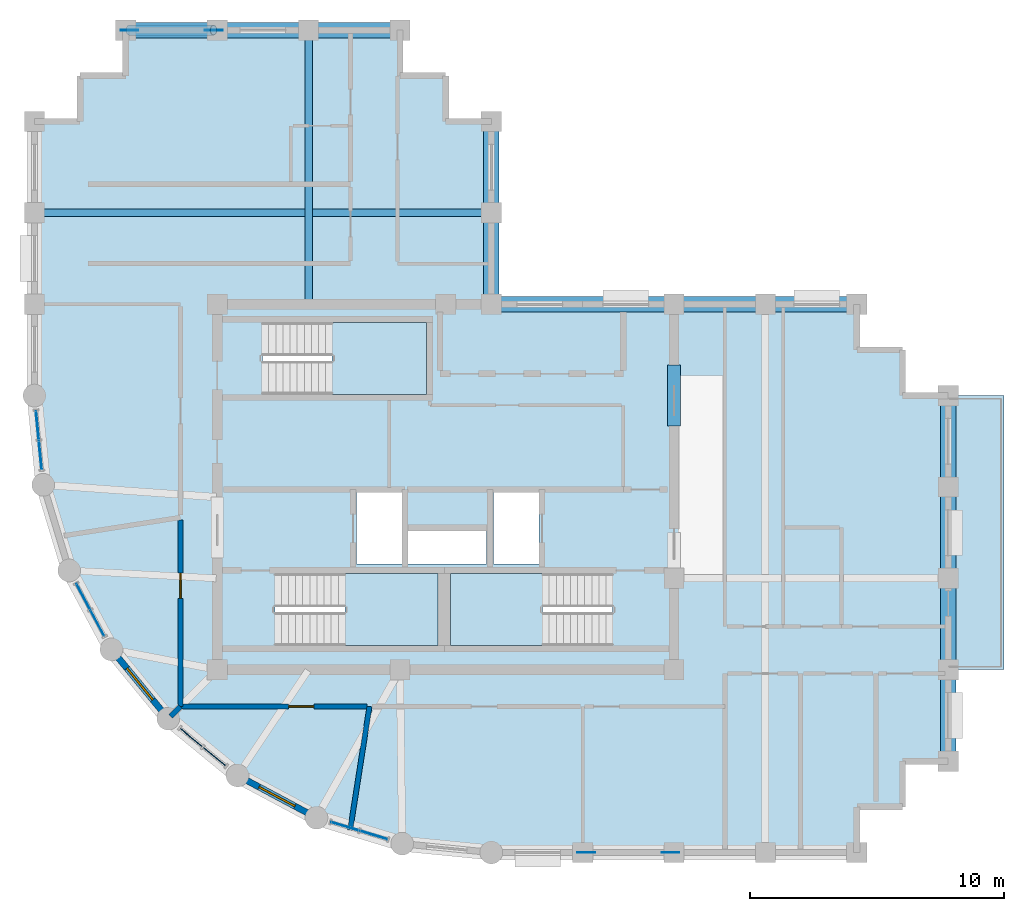
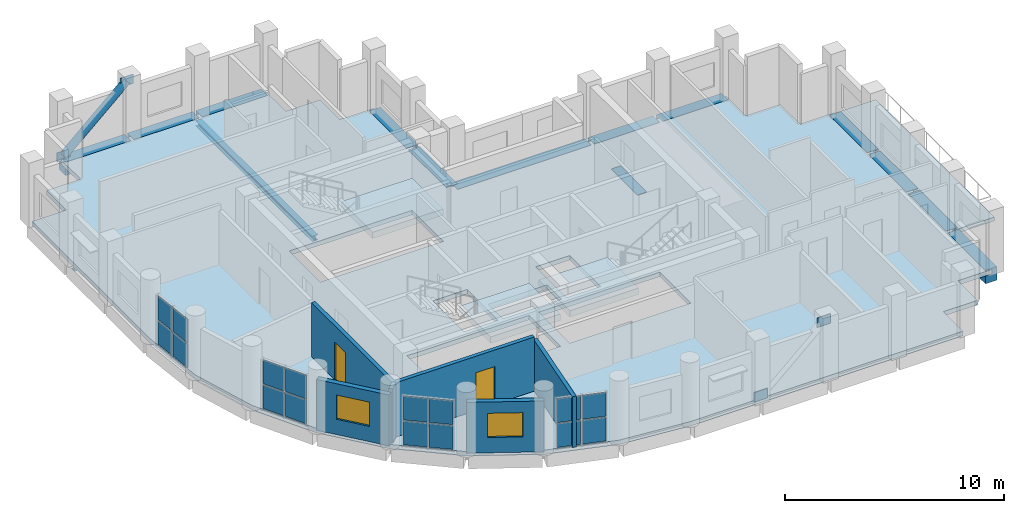
# One storey, part 6 of 12: 20 plates, 15 beams, 6 walls, 5 slabs, 2 doors, 2 windows, 1 member, 4 openings, 7 elements without a shape of their own.
"""IFC4 building model written with IfcOpenShell, lengths in metres."""

from ifc_helpers import new_model, si_unit, direction, frame, frame_2d, origin, origin_2d, place, context, subcontext, project, spatial, polyline, rectangle, hollow_circle, i_section, outline, extrude, material, layer, layer_set, material_profile, profile_set, type_object, element, fill, aggregate, save


model = new_model("IFC4")

# Units and contexts
model_context = context("Model", 3, precision=1e-05, world=origin(), true_north=direction((0.0, 1.0)))
body_context = subcontext(model_context, "Body", "Model", "MODEL_VIEW")
ifc_project = project(units=[si_unit("LENGTHUNIT", "METRE"), si_unit("AREAUNIT", "SQUARE_METRE"), si_unit("VOLUMEUNIT", "CUBIC_METRE"), si_unit("PLANEANGLEUNIT", "RADIAN"), si_unit("MASSUNIT", "GRAM", prefix="KILO")], contexts=[model_context])

# Site, building, storey
site_placement = place(None, origin())
site = spatial("IfcSite", under=ifc_project, at=site_placement, CompositionType="ELEMENT")
building_placement = place(site_placement, origin())
building = spatial("IfcBuilding", under=site, at=building_placement, Name="Solnavia Interchange Tower", CompositionType="ELEMENT")
storey_placement = place(building_placement, frame((0.0, 0.0, 228.199951171875)))
storey = spatial("IfcBuildingStorey", under=building, at=storey_placement, Name="L57", CompositionType="ELEMENT", Elevation=228.199951171875)

# Beams
ifc_material_1 = material(Name="Concrete C50/60", Category="concrete")
ifc_material_profile_1 = material_profile(ifc_material_1, rectangle(XDim=0.5, YDim=0.800048828125, at=origin_2d()), Name="RC 500x800")
ifc_profile_set_1 = profile_set([ifc_material_profile_1], Name="Concrete C50/60")
beam_type_1 = type_object("IfcBeamType", Name="Beam-Coupling-RC500x800", PredefinedType="LINTEL", material=ifc_profile_set_1)
beam_1_placement = place(storey_placement, frame((32.39990234375, 20.39990234375, -0.39990234375), z_axis=(0.0, 1.0, 0.0), x_axis=(-1.0, 0.0, 0.0)))
element("IfcBeam", 1, at=beam_1_placement, inside=storey, type_object=beam_type_1, Name="CPB-L57-E2 Core coupling lintel beam", PredefinedType="LINTEL", context=body_context, shape_type="SweptSolid", body=[
    extrude(rectangle(XDim=0.5, YDim=0.800048828125, at=origin_2d()), origin(), (0.0, 0.0, 1.0), 2.400146484375),
])
ifc_material_2 = material(Name="Steel S460", Category="steel")
ifc_material_profile_2 = material_profile(ifc_material_2, i_section(OverallWidth=0.300048828125, OverallDepth=0.300048828125, WebThickness=0.010986328125, FlangeThickness=0.01904296875, FilletRadius=0.027099609375, at=origin_2d()), Name="HEB 300")
ifc_profile_set_2 = profile_set([ifc_material_profile_2], Name="Steel S460")
beam_type_2 = type_object("IfcBeamType", Name="Beam-Girder-HEB300", PredefinedType="BEAM", material=ifc_profile_set_2)
beam_2_placement = place(storey_placement, frame((18.0, 25.280029296875, -0.39990234375), z_axis=(0.0, 1.0, 0.0), x_axis=(-1.0, 0.0, 0.0)))
element("IfcBeam", 2, at=beam_2_placement, inside=storey, type_object=beam_type_2, Name="GRD-L57-NS03 North wing spine girder", PredefinedType="BEAM", context=body_context, shape_type="SweptSolid", body=[
    extrude(i_section(OverallWidth=0.300048828125, OverallDepth=0.300048828125, WebThickness=0.010986328125, FlangeThickness=0.01904296875, FilletRadius=0.027099609375, at=origin_2d()), origin(), (0.0, 0.0, 1.0), 10.639892578125),
])
beam_3_placement = place(storey_placement, frame((7.280029296875, 28.800048828125, -0.39990234375), z_axis=(1.0, 0.0, 0.0), x_axis=(0.0, 1.0, 0.0)))
element("IfcBeam", 3, at=beam_3_placement, inside=storey, type_object=beam_type_2, Name="GRD-L57-NW04 North wing primary floor girder", PredefinedType="BEAM", context=body_context, shape_type="SweptSolid", body=[
    extrude(i_section(OverallWidth=0.300048828125, OverallDepth=0.300048828125, WebThickness=0.010986328125, FlangeThickness=0.01904296875, FilletRadius=0.027099609375, at=origin_2d()), origin(), (0.0, 0.0, 1.0), 17.840087890625),
])
ifc_material_profile_3 = material_profile(ifc_material_1, rectangle(XDim=0.60009765625, YDim=0.75, at=origin_2d()), Name="RC 600x750")
ifc_profile_set_3 = profile_set([ifc_material_profile_3], Name="Concrete C50/60")
beam_type_3 = type_object("IfcBeamType", Name="Beam-Spandrel-RC600x750", PredefinedType="SPANDREL", material=ifc_profile_set_3)
beam_4_placement = place(storey_placement, frame((43.199951171875, 7.280029296875, -0.375), z_axis=(0.0, 1.0, 0.0), x_axis=(-1.0, 0.0, 0.0)))
element("IfcBeam", 4, at=beam_4_placement, inside=storey, type_object=beam_type_3, Name="SPB-L57-13 Framed-tube perimeter spandrel beam", PredefinedType="SPANDREL", context=body_context, shape_type="SweptSolid", body=[
    extrude(rectangle(XDim=0.60009765625, YDim=0.75, at=origin_2d()), origin(), (0.0, 0.0, 1.0), 3.43994140625),
])
beam_5_placement = place(storey_placement, frame((43.199951171875, 10.8798828125, -0.375), z_axis=(0.0, 1.0, 0.0), x_axis=(-1.0, 0.0, 0.0)))
element("IfcBeam", 5, at=beam_5_placement, inside=storey, type_object=beam_type_3, Name="SPB-L57-14 Framed-tube perimeter spandrel beam", PredefinedType="SPANDREL", context=body_context, shape_type="SweptSolid", body=[
    extrude(rectangle(XDim=0.60009765625, YDim=0.75, at=origin_2d()), origin(), (0.0, 0.0, 1.0), 3.440185546875),
])
for number, where, z_axis, x_axis, name in (
    (6, (43.199951171875, 14.47998046875, -0.375), (0.0, 1.0, 0.0), (-1.0, 0.0, 0.0), "SPB-L57-15 Framed-tube perimeter spandrel beam"),
    (7, (43.199951171875, 18.080078125, -0.375), (0.0, 1.0, 0.0), (-1.0, 0.0, 0.0), "SPB-L57-16 Framed-tube perimeter spandrel beam"),
    (8, (39.52001953125, 25.199951171875, -0.375), (-1.0, 0.0, 0.0), (0.0, -1.0, 0.0), "SPB-L57-17 Framed-tube perimeter spandrel beam"),
    (9, (35.919921875, 25.199951171875, -0.375), (-1.0, 0.0, 0.0), (0.0, -1.0, 0.0), "SPB-L57-18 Framed-tube perimeter spandrel beam"),
):
    element("IfcBeam", number, at=place(storey_placement, frame(where, z_axis=z_axis, x_axis=x_axis)), inside=storey, type_object=beam_type_3, Name=name, PredefinedType="SPANDREL", context=body_context, shape_type="SweptSolid", body=[
        extrude(rectangle(XDim=0.60009765625, YDim=0.75, at=origin_2d()), origin(), (0.0, 0.0, 1.0), 3.43994140625),
    ])
beam_6_placement = place(storey_placement, frame((32.320068359375, 25.199951171875, -0.375), z_axis=(-1.0, 0.0, 0.0), x_axis=(0.0, -1.0, 0.0)))
element("IfcBeam", 10, at=beam_6_placement, inside=storey, type_object=beam_type_3, Name="SPB-L57-19 Framed-tube perimeter spandrel beam", PredefinedType="SPANDREL", context=body_context, shape_type="SweptSolid", body=[
    extrude(rectangle(XDim=0.60009765625, YDim=0.75, at=origin_2d()), origin(), (0.0, 0.0, 1.0), 7.0400390625),
])
beam_7_placement = place(storey_placement, frame((25.199951171875, 25.280029296875, -0.375), z_axis=(0.0, 1.0, 0.0), x_axis=(-1.0, 0.0, 0.0)))
element("IfcBeam", 11, at=beam_7_placement, inside=storey, type_object=beam_type_3, Name="SPB-L57-20 Framed-tube perimeter spandrel beam", PredefinedType="SPANDREL", context=body_context, shape_type="SweptSolid", body=[
    extrude(rectangle(XDim=0.60009765625, YDim=0.75, at=origin_2d()), origin(), (0.0, 0.0, 1.0), 3.43994140625),
])
beam_8_placement = place(storey_placement, frame((25.199951171875, 28.8798828125, -0.375), z_axis=(0.0, 1.0, 0.0), x_axis=(-1.0, 0.0, 0.0)))
element("IfcBeam", 12, at=beam_8_placement, inside=storey, type_object=beam_type_3, Name="SPB-L57-21 Framed-tube perimeter spandrel beam", PredefinedType="SPANDREL", context=body_context, shape_type="SweptSolid", body=[
    extrude(rectangle(XDim=0.60009765625, YDim=0.75, at=origin_2d()), origin(), (0.0, 0.0, 1.0), 3.440185546875),
])
for number, where, z_axis, x_axis, name in (
    (13, (21.52001953125, 36.0, -0.375), (-1.0, 0.0, 0.0), (0.0, -1.0, 0.0), "SPB-L57-22 Framed-tube perimeter spandrel beam"),
    (14, (17.919921875, 36.0, -0.375), (-1.0, 0.0, 0.0), (0.0, -1.0, 0.0), "SPB-L57-23 Framed-tube perimeter spandrel beam"),
):
    element("IfcBeam", number, at=place(storey_placement, frame(where, z_axis=z_axis, x_axis=x_axis)), inside=storey, type_object=beam_type_3, Name=name, PredefinedType="SPANDREL", context=body_context, shape_type="SweptSolid", body=[
        extrude(rectangle(XDim=0.60009765625, YDim=0.75, at=origin_2d()), origin(), (0.0, 0.0, 1.0), 3.43994140625),
    ])
beam_9_placement = place(storey_placement, frame((14.320068359375, 36.0, -0.375), z_axis=(-1.0, 0.0, 0.0), x_axis=(0.0, -1.0, 0.0)))
element("IfcBeam", 15, at=beam_9_placement, inside=storey, type_object=beam_type_3, Name="SPB-L57-24 Framed-tube perimeter spandrel beam", PredefinedType="SPANDREL", context=body_context, shape_type="SweptSolid", body=[
    extrude(rectangle(XDim=0.60009765625, YDim=0.75, at=origin_2d()), origin(), (0.0, 0.0, 1.0), 3.440185546875),
])

# Member
ifc_material_profile_4 = material_profile(ifc_material_2, hollow_circle(Radius=0.203125, WallThickness=0.02001953125, at=origin_2d()), Name="CHS 406.4x20")
ifc_profile_set_4 = profile_set([ifc_material_profile_4], Name="Steel S460")
member_type = type_object("IfcMemberType", Name="Brace-Perim-CHS406", PredefinedType="BRACE", material=ifc_profile_set_4)
member_placement = place(storey_placement, frame((10.93994140625, 36.0, 0.179931640625), z_axis=(0.743052292095, 0.0, 0.669233360804), x_axis=(0.0, 1.0, 0.0)))
element("IfcMember", 16, at=member_placement, inside=storey, type_object=member_type, Name="BRC-L57-02 Perimeter tube diagonal brace", PredefinedType="BRACE", context=body_context, shape_type="SweptSolid", body=[
    extrude(hollow_circle(Radius=0.203125, WallThickness=0.02001953125, at=origin_2d()), origin(), (0.0, 0.0, 1.0), 4.46826171875),
])

# Curtain wall, plates
ifc_material_3 = material(Name="Aluminium Alloy 6063-T6", Category="aluminium")
ifc_layer_1 = layer(ifc_material_3, 0.239990234375)
ifc_layer_set_1 = layer_set([ifc_layer_1], Name="Aluminium Alloy 6063-T6")
curtain_wall_type = type_object("IfcCurtainWallType", Name="CurtainWall-Drum-CTW2", PredefinedType="NOTDEFINED", material=ifc_layer_set_1)
curtain_wall_1_placement = place(storey_placement, origin())
curtain_wall_1 = element("IfcCurtainWall", 17, at=curtain_wall_1_placement, inside=storey, type_object=curtain_wall_type, Name="CTW-L57-D37 CTW-2 curtain wall", PredefinedType="NOTDEFINED")
ifc_material_4 = material(Name="Double-Glazed Low-E IGU Glass", Category="glass")
ifc_layer_2 = layer(ifc_material_4, 0.031982421875)
ifc_layer_set_2 = layer_set([ifc_layer_2], Name="Double-Glazed Low-E IGU Glass")
plate_type_1 = type_object("IfcPlateType", Name="CW-Panel-Solar-32", PredefinedType="CURTAIN_PANEL", material=ifc_layer_set_2)
plate_1_placement = place(storey_placement, frame((7.314697265625, 20.435791015625, 0.065185546875), z_axis=(0.0, 0.0, 1.0), x_axis=(0.098043088306, -0.995182170678, 0.0)))
plate_1 = element("IfcPlate", 18, at=plate_1_placement, type_object=plate_type_1, Name="CTW-2 panel 1.1", PredefinedType="CURTAIN_PANEL", context=body_context, shape_type="SweptSolid", body=[
    extrude(rectangle(XDim=1.114501953125, YDim=0.031982421875, at=origin_2d()), origin(), (0.0, 0.0, 1.0), 1.3173828125),
])
plate_2_placement = place(storey_placement, frame((7.314697265625, 20.435791015625, 1.447509765625), z_axis=(0.0, 0.0, 1.0), x_axis=(0.098043088306, -0.995182170678, 0.0)))
plate_2 = element("IfcPlate", 19, at=plate_2_placement, type_object=plate_type_1, Name="CTW-2 panel 1.2", PredefinedType="CURTAIN_PANEL", context=body_context, shape_type="SweptSolid", body=[
    extrude(rectangle(XDim=1.114501953125, YDim=0.031982421875, at=origin_2d()), origin(), (0.0, 0.0, 1.0), 1.3173828125),
])
plate_3_placement = place(storey_placement, frame((7.431396484375, 19.252197265625, 0.065185546875), z_axis=(0.0, 0.0, 1.0), x_axis=(0.098043088306, -0.995182170678, 0.0)))
plate_3 = element("IfcPlate", 20, at=plate_3_placement, type_object=plate_type_1, Name="CTW-2 panel 2.1", PredefinedType="CURTAIN_PANEL", context=body_context, shape_type="SweptSolid", body=[
    extrude(rectangle(XDim=1.114501953125, YDim=0.031982421875, at=origin_2d()), origin(), (0.0, 0.0, 1.0), 1.3173828125),
])
plate_4_placement = place(storey_placement, frame((7.431396484375, 19.252197265625, 1.447509765625), z_axis=(0.0, 0.0, 1.0), x_axis=(0.098043088306, -0.995182170678, 0.0)))
plate_4 = element("IfcPlate", 21, at=plate_4_placement, type_object=plate_type_1, Name="CTW-2 panel 2.2", PredefinedType="CURTAIN_PANEL", context=body_context, shape_type="SweptSolid", body=[
    extrude(rectangle(XDim=1.114501953125, YDim=0.031982421875, at=origin_2d()), origin(), (0.0, 0.0, 1.0), 1.3173828125),
])
aggregate(curtain_wall_1, [plate_1, plate_2, plate_3, plate_4])

curtain_wall_2_placement = place(storey_placement, origin())
curtain_wall_2 = element("IfcCurtainWall", 22, at=curtain_wall_2_placement, inside=storey, type_object=curtain_wall_type, Name="CTW-L57-D39 CTW-2 curtain wall", PredefinedType="NOTDEFINED")
plate_5_placement = place(storey_placement, frame((9.12158203125, 13.680419921875, 0.065185546875), z_axis=(0.0, 0.0, 1.0), x_axis=(0.471560876964, -0.881833509976, 0.0)))
plate_5 = element("IfcPlate", 23, at=plate_5_placement, type_object=plate_type_1, Name="CTW-2 panel 1.1", PredefinedType="CURTAIN_PANEL", context=body_context, shape_type="SweptSolid", body=[
    extrude(rectangle(XDim=1.114501953125, YDim=0.031982421875, at=origin_2d()), origin(), (0.0, 0.0, 1.0), 1.3173828125),
])
plate_6_placement = place(storey_placement, frame((9.12158203125, 13.680419921875, 1.447509765625), z_axis=(0.0, 0.0, 1.0), x_axis=(0.471560876964, -0.881833509976, 0.0)))
plate_6 = element("IfcPlate", 24, at=plate_6_placement, type_object=plate_type_1, Name="CTW-2 panel 1.2", PredefinedType="CURTAIN_PANEL", context=body_context, shape_type="SweptSolid", body=[
    extrude(rectangle(XDim=1.114501953125, YDim=0.031982421875, at=origin_2d()), origin(), (0.0, 0.0, 1.0), 1.3173828125),
])
plate_7_placement = place(storey_placement, frame((9.682373046875, 12.631591796875, 0.065185546875), z_axis=(0.0, 0.0, 1.0), x_axis=(0.471560876964, -0.881833509976, 0.0)))
plate_7 = element("IfcPlate", 25, at=plate_7_placement, type_object=plate_type_1, Name="CTW-2 panel 2.1", PredefinedType="CURTAIN_PANEL", context=body_context, shape_type="SweptSolid", body=[
    extrude(rectangle(XDim=1.114501953125, YDim=0.031982421875, at=origin_2d()), origin(), (0.0, 0.0, 1.0), 1.3173828125),
])
plate_8_placement = place(storey_placement, frame((9.682373046875, 12.631591796875, 1.447509765625), z_axis=(0.0, 0.0, 1.0), x_axis=(0.471560876964, -0.881833509976, 0.0)))
plate_8 = element("IfcPlate", 26, at=plate_8_placement, type_object=plate_type_1, Name="CTW-2 panel 2.2", PredefinedType="CURTAIN_PANEL", context=body_context, shape_type="SweptSolid", body=[
    extrude(rectangle(XDim=1.114501953125, YDim=0.031982421875, at=origin_2d()), origin(), (0.0, 0.0, 1.0), 1.3173828125),
])
aggregate(curtain_wall_2, [plate_5, plate_6, plate_7, plate_8])

curtain_wall_3_placement = place(storey_placement, origin())
curtain_wall_3 = element("IfcCurtainWall", 27, at=curtain_wall_3_placement, inside=storey, type_object=curtain_wall_type, Name="CTW-L57-D41 CTW-2 curtain wall", PredefinedType="NOTDEFINED")
plate_9_placement = place(storey_placement, frame((13.376220703125, 8.130126953125, 0.065185546875), z_axis=(0.0, 0.0, 1.0), x_axis=(0.773103093557, -0.634280384951, 0.0)))
plate_9 = element("IfcPlate", 28, at=plate_9_placement, type_object=plate_type_1, Name="CTW-2 panel 1.1", PredefinedType="CURTAIN_PANEL", context=body_context, shape_type="SweptSolid", body=[
    extrude(rectangle(XDim=1.1142578125, YDim=0.031982421875, at=origin_2d()), origin(), (0.0, 0.0, 1.0), 1.3173828125),
])
plate_10_placement = place(storey_placement, frame((13.376220703125, 8.130126953125, 1.447509765625), z_axis=(0.0, 0.0, 1.0), x_axis=(0.773103093557, -0.634280384951, 0.0)))
plate_10 = element("IfcPlate", 29, at=plate_10_placement, type_object=plate_type_1, Name="CTW-2 panel 1.2", PredefinedType="CURTAIN_PANEL", context=body_context, shape_type="SweptSolid", body=[
    extrude(rectangle(XDim=1.1142578125, YDim=0.031982421875, at=origin_2d()), origin(), (0.0, 0.0, 1.0), 1.3173828125),
])
plate_11_placement = place(storey_placement, frame((14.295654296875, 7.375732421875, 0.065185546875), z_axis=(0.0, 0.0, 1.0), x_axis=(0.773103093557, -0.634280384951, 0.0)))
plate_11 = element("IfcPlate", 30, at=plate_11_placement, type_object=plate_type_1, Name="CTW-2 panel 2.1", PredefinedType="CURTAIN_PANEL", context=body_context, shape_type="SweptSolid", body=[
    extrude(rectangle(XDim=1.1142578125, YDim=0.031982421875, at=origin_2d()), origin(), (0.0, 0.0, 1.0), 1.3173828125),
])
plate_12_placement = place(storey_placement, frame((14.295654296875, 7.375732421875, 1.447509765625), z_axis=(0.0, 0.0, 1.0), x_axis=(0.773103093557, -0.634280384951, 0.0)))
plate_12 = element("IfcPlate", 31, at=plate_12_placement, type_object=plate_type_1, Name="CTW-2 panel 2.2", PredefinedType="CURTAIN_PANEL", context=body_context, shape_type="SweptSolid", body=[
    extrude(rectangle(XDim=1.1142578125, YDim=0.031982421875, at=origin_2d()), origin(), (0.0, 0.0, 1.0), 1.3173828125),
])
aggregate(curtain_wall_3, [plate_9, plate_10, plate_11, plate_12])

curtain_wall_4_placement = place(storey_placement, origin())
curtain_wall_4 = element("IfcCurtainWall", 32, at=curtain_wall_4_placement, inside=storey, type_object=curtain_wall_type, Name="CTW-L57-D43 CTW-2 curtain wall", PredefinedType="NOTDEFINED")
plate_13_placement = place(storey_placement, frame((19.43115234375, 4.630615234375, 0.065185546875), z_axis=(0.0, 0.0, 1.0), x_axis=(0.956942072515, -0.290278951786, 0.0)))
plate_13 = element("IfcPlate", 33, at=plate_13_placement, type_object=plate_type_1, Name="CTW-2 panel 1.1", PredefinedType="CURTAIN_PANEL", context=body_context, shape_type="SweptSolid", body=[
    extrude(rectangle(XDim=1.114013671875, YDim=0.031982421875, at=origin_2d()), origin(), (0.0, 0.0, 1.0), 1.3173828125),
])
plate_14_placement = place(storey_placement, frame((19.43115234375, 4.630615234375, 1.447509765625), z_axis=(0.0, 0.0, 1.0), x_axis=(0.956942072515, -0.290278951786, 0.0)))
plate_14 = element("IfcPlate", 34, at=plate_14_placement, type_object=plate_type_1, Name="CTW-2 panel 1.2", PredefinedType="CURTAIN_PANEL", context=body_context, shape_type="SweptSolid", body=[
    extrude(rectangle(XDim=1.114013671875, YDim=0.031982421875, at=origin_2d()), origin(), (0.0, 0.0, 1.0), 1.3173828125),
])
plate_15_placement = place(storey_placement, frame((20.56884765625, 4.285400390625, 0.065185546875), z_axis=(0.0, 0.0, 1.0), x_axis=(0.956942072515, -0.290278951786, 0.0)))
plate_15 = element("IfcPlate", 35, at=plate_15_placement, type_object=plate_type_1, Name="CTW-2 panel 2.1", PredefinedType="CURTAIN_PANEL", context=body_context, shape_type="SweptSolid", body=[
    extrude(rectangle(XDim=1.114013671875, YDim=0.031982421875, at=origin_2d()), origin(), (0.0, 0.0, 1.0), 1.3173828125),
])
plate_16_placement = place(storey_placement, frame((20.56884765625, 4.285400390625, 1.447509765625), z_axis=(0.0, 0.0, 1.0), x_axis=(0.956942072515, -0.290278951786, 0.0)))
plate_16 = element("IfcPlate", 36, at=plate_16_placement, type_object=plate_type_1, Name="CTW-2 panel 2.2", PredefinedType="CURTAIN_PANEL", context=body_context, shape_type="SweptSolid", body=[
    extrude(rectangle(XDim=1.114013671875, YDim=0.031982421875, at=origin_2d()), origin(), (0.0, 0.0, 1.0), 1.3173828125),
])
aggregate(curtain_wall_4, [plate_13, plate_14, plate_15, plate_16])

# Plates
ifc_layer_3 = layer(ifc_material_2, 0.030029296875)
ifc_layer_set_3 = layer_set([ifc_layer_3], Name="Steel S460")
plate_type_2 = type_object("IfcPlateType", Name="Plate-Gusset-700x520x30", PredefinedType="USERDEFINED", material=ifc_layer_set_3)
for number, where, z_axis, x_axis, name in (
    (37, (28.93994140625, 3.60009765625, -0.080078125), (0.0, 0.0, 1.0), (1.0, 0.0, 0.0), "PLT-L57-GP01 Perimeter brace gusset plate"),
    (38, (32.260009765625, 3.60009765625, 2.91015625), (0.0, 0.0, 1.0), (1.0, 0.0, 0.0), "PLT-L57-GP02 Perimeter brace gusset plate"),
    (39, (10.93994140625, 36.0, -0.080078125), (0.0, 0.0, 1.0), (1.0, 0.0, 0.0), "PLT-L57-GP03 Perimeter brace gusset plate"),
    (40, (14.260009765625, 36.0, 2.91015625), (0.0, 0.0, 1.0), (1.0, 0.0, 0.0), "PLT-L57-GP04 Perimeter brace gusset plate"),
):
    element("IfcPlate", number, at=place(storey_placement, frame(where, z_axis=z_axis, x_axis=x_axis)), inside=storey, type_object=plate_type_2, Name=name, ObjectType="GUSSET PLATE", PredefinedType="USERDEFINED", context=body_context, shape_type="SweptSolid", body=[
        extrude(rectangle(XDim=0.699951171875, YDim=0.030029296875, at=origin_2d()), origin(), (0.0, 0.0, 1.0), 0.52001953125),
    ])

# Stair, slab
ifc_material_5 = material(Name="Concrete C40/50", Category="concrete")
stair_type = type_object("IfcStairType", Name="Stair-Dogleg-RC", PredefinedType="HALF_TURN_STAIR", material=ifc_material_5)
stair_1_placement = place(storey_placement, origin())
stair_1 = element("IfcStair", 41, at=stair_1_placement, inside=storey, type_object=stair_type, Name="L57 Core exit stair 1", PredefinedType="HALF_TURN_STAIR")
ifc_layer_4 = layer(ifc_material_5, 0.35009765625)
ifc_layer_set_4 = layer_set([ifc_layer_4], Name="Concrete C40/50")
slab_type_1 = type_object("IfcSlabType", Name="Slab-StairLanding-350", PredefinedType="LANDING", material=ifc_layer_set_4)
slab_1_placement = place(storey_placement, frame((0.0, 0.0, 1.449951171875)))
slab_1 = element("IfcSlab", 42, at=slab_1_placement, type_object=slab_type_1, Name="ST-1 landing 1", PredefinedType="LANDING", context=body_context, shape_type="SweptSolid", body=[
    extrude(outline(polyline([(19.427978515625, 11.75), (23.10009765625, 11.75), (23.10009765625, 14.590087890625), (19.427978515625, 14.590087890625), (19.427978515625, 11.75)])), origin(), (0.0, 0.0, 1.0), 0.35009765625),
])
aggregate(stair_1, [slab_1])

stair_2_placement = place(storey_placement, origin())
stair_2 = element("IfcStair", 43, at=stair_2_placement, inside=storey, type_object=stair_type, Name="L57 Core exit stair 2", PredefinedType="HALF_TURN_STAIR")
slab_2_placement = place(storey_placement, frame((0.0, 0.0, 1.449951171875)))
slab_2 = element("IfcSlab", 44, at=slab_2_placement, type_object=slab_type_1, Name="ST-2 landing 1", PredefinedType="LANDING", context=body_context, shape_type="SweptSolid", body=[
    extrude(outline(polyline([(23.60009765625, 11.75), (27.221923828125, 11.75), (27.221923828125, 14.590087890625), (23.60009765625, 14.590087890625), (23.60009765625, 11.75)])), origin(), (0.0, 0.0, 1.0), 0.35009765625),
])
aggregate(stair_2, [slab_2])

stair_3_placement = place(storey_placement, origin())
stair_3 = element("IfcStair", 45, at=stair_3_placement, inside=storey, type_object=stair_type, Name="L57 Core exit stair 3", PredefinedType="HALF_TURN_STAIR")
slab_3_placement = place(storey_placement, frame((0.0, 0.0, 1.449951171875)))
slab_3 = element("IfcSlab", 46, at=slab_3_placement, type_object=slab_type_1, Name="ST-3 landing 1", PredefinedType="LANDING", context=body_context, shape_type="SweptSolid", body=[
    extrude(outline(polyline([(18.927978515625, 21.64990234375), (22.64990234375, 21.64990234375), (22.64990234375, 24.489990234375), (18.927978515625, 24.489990234375), (18.927978515625, 21.64990234375)])), origin(), (0.0, 0.0, 1.0), 0.35009765625),
])
aggregate(stair_3, [slab_3])

# Slabs
ifc_layer_5 = layer(ifc_material_5, 0.219970703125)
ifc_layer_set_5 = layer_set([ifc_layer_5], Name="Concrete C40/50")
slab_type_2 = type_object("IfcSlabType", Name="Slab-Terrace-220", PredefinedType="FLOOR", material=ifc_layer_set_5)
slab_4_placement = place(storey_placement, frame((0.0, 0.0, -0.260009765625)))
element("IfcSlab", 47, at=slab_4_placement, inside=storey, type_object=slab_type_2, Name="TER-L57-01 Outdoor spiral terrace slab", PredefinedType="FLOOR", context=body_context, shape_type="SweptSolid", body=[
    extrude(outline(polyline([(43.199951171875, 10.800048828125), (45.39990234375, 10.800048828125), (45.39990234375, 21.60009765625), (43.199951171875, 21.60009765625), (43.199951171875, 10.800048828125)])), origin(), (0.0, 0.0, 1.0), 0.219970703125),
])
ifc_layer_6 = layer(ifc_material_5, 0.25)
ifc_layer_set_6 = layer_set([ifc_layer_6], Name="Concrete C40/50")
slab_type_3 = type_object("IfcSlabType", Name="Slab-Tower-250", PredefinedType="FLOOR", material=ifc_layer_set_6)
slab_5_placement = place(storey_placement, frame((0.0, 0.0, -0.25)))
element("IfcSlab", 48, at=slab_5_placement, inside=storey, type_object=slab_type_3, Name="SLB-L57-01 Structural floor slab", PredefinedType="FLOOR", context=body_context, shape_type="SweptSolid", body=[
    extrude(outline(polyline([(25.199951171875, 3.60009765625), (39.60009765625, 3.60009765625), (39.60009765625, 5.39990234375), (41.39990234375, 5.39990234375), (41.39990234375, 7.199951171875), (43.199951171875, 7.199951171875), (43.199951171875, 21.60009765625), (41.39990234375, 21.60009765625), (41.39990234375, 23.39990234375), (39.60009765625, 23.39990234375), (39.60009765625, 25.199951171875), (25.199951171875, 25.199951171875), (25.199951171875, 32.39990234375), (23.39990234375, 32.39990234375), (23.39990234375, 34.199951171875), (21.60009765625, 34.199951171875), (21.60009765625, 36.0), (10.800048828125, 36.0), (10.800048828125, 34.199951171875), (9.0, 34.199951171875), (9.0, 32.39990234375), (7.199951171875, 32.39990234375), (7.199951171875, 21.60009765625), (7.5458984375, 18.087890625), (8.570068359375, 14.7119140625), (10.23388671875, 11.60009765625), (12.471923828125, 8.8720703125), (15.199951171875, 6.634033203125), (18.31201171875, 4.969970703125), (21.68798828125, 3.946044921875), (25.199951171875, 3.60009765625)]), holes=[polyline([(16.675048828125, 11.75), (23.10009765625, 11.75), (23.10009765625, 14.590087890625), (16.675048828125, 14.590087890625), (16.675048828125, 11.75)]), polyline([(23.60009765625, 11.75), (29.97509765625, 11.75), (29.97509765625, 14.590087890625), (23.60009765625, 14.590087890625), (23.60009765625, 11.75)]), polyline([(16.175048828125, 21.64990234375), (22.64990234375, 21.64990234375), (22.64990234375, 24.489990234375), (16.175048828125, 24.489990234375), (16.175048828125, 21.64990234375)]), polyline([(19.8798828125, 14.9599609375), (21.679931640625, 14.9599609375), (21.679931640625, 17.780029296875), (19.8798828125, 17.780029296875), (19.8798828125, 14.9599609375)]), polyline([(25.280029296875, 14.9599609375), (27.080078125, 14.9599609375), (27.080078125, 17.780029296875), (25.280029296875, 17.780029296875), (25.280029296875, 14.9599609375)]), polyline([(21.919921875, 14.9599609375), (25.02001953125, 14.9599609375), (25.02001953125, 16.280029296875), (21.919921875, 16.280029296875), (21.919921875, 14.9599609375)])]), origin(), (0.0, 0.0, 1.0), 0.25),
])

# Walls
ifc_material_6 = material(Name="Gypsum Acoustic Twin-Stud & Mineral Wool", Category="gypsum")
ifc_layer_7 = layer(ifc_material_6, 0.199951171875)
ifc_layer_set_7 = layer_set([ifc_layer_7], Name="Gypsum Acoustic Twin-Stud & Mineral Wool")
wall_type_1 = type_object("IfcWallType", Name="Wall-ApartmentParty-200", PredefinedType="PARTITIONING", material=ifc_layer_set_7)
wall_1_placement = place(storey_placement, frame((12.949951171875, 9.35009765625, 0.0), z_axis=(0.0, 0.0, 1.0), x_axis=(-0.706883613527, -0.707329878435, 0.0)))
element("IfcWall", 49, at=wall_1_placement, inside=storey, type_object=wall_type_1, Name="PTW-L57-10 Interior partition wall", PredefinedType="PARTITIONING", context=body_context, shape_type="SweptSolid", body=[
    extrude(rectangle(XDim=0.547119140625, YDim=0.199951171875, at=frame_2d((0.2734375, 0.0))), origin(), (0.0, 0.0, 1.0), 3.02001953125),
])
wall_2_placement = place(storey_placement, frame((20.39990234375, 9.35009765625, 0.0), z_axis=(0.0, 0.0, 1.0), x_axis=(-0.154606571481, -0.987976117148, 0.0)))
element("IfcWall", 50, at=wall_2_placement, inside=storey, type_object=wall_type_1, Name="PTW-L57-11 Interior partition wall", PredefinedType="PARTITIONING", context=body_context, shape_type="SweptSolid", body=[
    extrude(rectangle(XDim=4.928466796875, YDim=0.199951171875, at=frame_2d((2.46435546875, 0.0))), origin(), (0.0, 0.0, 1.0), 2.830078125),
])

# Wall, opening, door
wall_3_placement = place(storey_placement, frame((12.949951171875, 9.35009765625, 0.0), z_axis=(0.0, 0.0, 1.0), x_axis=(0.0, 1.0, 0.0)))
wall_3 = element("IfcWall", 51, at=wall_3_placement, inside=storey, type_object=wall_type_1, Name="PTW-L57-13 Interior partition wall", PredefinedType="PARTITIONING", context=body_context, shape_type="SweptSolid", body=[
    extrude(rectangle(XDim=7.345947265625, YDim=0.199951171875, at=frame_2d((3.6728515625, 0.0))), origin(), (0.0, 0.0, 1.0), 3.02001953125),
])
opening_1_placement = place(wall_3_placement, frame((4.260986328125, 0.0, 0.0)))
opening_1 = element("IfcOpeningElement", 52, at=opening_1_placement, cuts=wall_3, Name="Opening DR-07", PredefinedType="OPENING", context=body_context, shape_type="SweptSolid", body=[
    extrude(rectangle(XDim=1.0, YDim=2.10009765625, at=frame_2d((0.5, 1.050048828125))), frame((0.0, 0.10986328125, 0.0), z_axis=(0.0, -1.0, 0.0), x_axis=(1.0, 0.0, 0.0)), (0.0, 0.0, 1.0), 0.219970703125),
])
ifc_material_7 = material(Name="Timber & Acoustic Glazed Office Door", Category="wood")
door_type = type_object("IfcDoorType", Name="Door-Office-1000x2100", OperationType="SINGLE_SWING_RIGHT", PredefinedType="DOOR", material=ifc_material_7)
door_1_placement = place(opening_1_placement, origin())
door_1 = element("IfcDoor", 53, at=door_1_placement, inside=storey, type_object=door_type, Name="DR-L57-04 Interior room door", OperationType="SINGLE_SWING_RIGHT", OverallHeight=2.10009765625, OverallWidth=1.0, PredefinedType="DOOR", context=body_context, shape_type="SweptSolid", body=[
    extrude(rectangle(XDim=1.0, YDim=2.10009765625, at=frame_2d((0.5, 1.050048828125))), frame((0.0, 0.02490234375, 0.0), z_axis=(0.0, -1.0, 0.0), x_axis=(1.0, 0.0, 0.0)), (0.0, 0.0, 1.0), 0.050048828125),
])
fill(opening_1, door_1)

wall_4_placement = place(storey_placement, frame((12.949951171875, 9.35009765625, 0.0), z_axis=(0.0, 0.0, 1.0), x_axis=(1.0, 0.0, 0.0)))
wall_4 = element("IfcWall", 54, at=wall_4_placement, inside=storey, type_object=wall_type_1, Name="PTW-L57-14 Interior partition wall", PredefinedType="PARTITIONING", context=body_context, shape_type="SweptSolid", body=[
    extrude(rectangle(XDim=7.345947265625, YDim=0.199951171875, at=frame_2d((3.6728515625, 0.0))), origin(), (0.0, 0.0, 1.0), 3.02001953125),
])
opening_2_placement = place(wall_4_placement, frame((4.260986328125, 0.0, 0.0)))
opening_2 = element("IfcOpeningElement", 55, at=opening_2_placement, cuts=wall_4, Name="Opening DR-07", PredefinedType="OPENING", context=body_context, shape_type="SweptSolid", body=[
    extrude(rectangle(XDim=1.0, YDim=2.10009765625, at=frame_2d((0.5, 1.050048828125))), frame((0.0, 0.10986328125, 0.0), z_axis=(0.0, -1.0, 0.0), x_axis=(1.0, 0.0, 0.0)), (0.0, 0.0, 1.0), 0.219970703125),
])
door_2_placement = place(opening_2_placement, origin())
door_2 = element("IfcDoor", 56, at=door_2_placement, inside=storey, type_object=door_type, Name="DR-L57-05 Interior room door", OperationType="SINGLE_SWING_LEFT", OverallHeight=2.10009765625, OverallWidth=1.0, PredefinedType="DOOR", context=body_context, shape_type="SweptSolid", body=[
    extrude(rectangle(XDim=1.0, YDim=2.10009765625, at=frame_2d((0.5, 1.050048828125))), frame((0.0, 0.02490234375, 0.0), z_axis=(0.0, -1.0, 0.0), x_axis=(1.0, 0.0, 0.0)), (0.0, 0.0, 1.0), 0.050048828125),
])
fill(opening_2, door_2)

# Wall, opening, window
ifc_layer_8 = layer(ifc_material_5, 0.25)
ifc_layer_set_8 = layer_set([ifc_layer_8], Name="Concrete C40/50")
wall_type_2 = type_object("IfcWallType", Name="Wall-ExtSpandrel-250", PredefinedType="STANDARD", material=ifc_layer_set_8)
wall_5_placement = place(storey_placement, frame((12.471923828125, 8.8720703125, 0.0), z_axis=(0.0, 0.0, 1.0), x_axis=(-0.634258295121, 0.773121216285, 0.0)))
wall_5 = element("IfcWall", 57, at=wall_5_placement, inside=storey, type_object=wall_type_2, Name="EXW-L57-40 Exterior precast spandrel wall", PredefinedType="STANDARD", context=body_context, shape_type="SweptSolid", body=[
    extrude(rectangle(XDim=3.528564453125, YDim=0.25, at=frame_2d((1.76416015625, 0.0))), origin(), (0.0, 0.0, 1.0), 2.830078125),
])
opening_3_placement = place(wall_5_placement, frame((0.964111328125, 0.0, 0.85009765625)))
opening_3 = element("IfcOpeningElement", 58, at=opening_3_placement, cuts=wall_5, Name="Opening WIN-04", PredefinedType="OPENING", context=body_context, shape_type="SweptSolid", body=[
    extrude(rectangle(XDim=1.60009765625, YDim=1.35009765625, at=frame_2d((0.800048828125, 0.675048828125))), frame((0.0, 0.135009765625, 0.0), z_axis=(0.0, -1.0, 0.0), x_axis=(1.0, 0.0, 0.0)), (0.0, 0.0, 1.0), 0.27001953125),
])
ifc_material_8 = material(Name="Thermal-Break Aluminium & Low-E Glass", Category="aluminium")
window_type = type_object("IfcWindowType", Name="Window-Drum-1600x1350", PartitioningType="SINGLE_PANEL", PredefinedType="WINDOW", material=ifc_material_8)
window_1_placement = place(opening_3_placement, origin())
window_1 = element("IfcWindow", 59, at=window_1_placement, inside=storey, type_object=window_type, Name="WIN-L57-40 Facade ribbon window", OverallHeight=1.35009765625, OverallWidth=1.60009765625, PartitioningType="SINGLE_PANEL", PredefinedType="WINDOW", context=body_context, shape_type="SweptSolid", body=[
    extrude(rectangle(XDim=1.60009765625, YDim=1.35009765625, at=frame_2d((0.800048828125, 0.675048828125))), frame((0.0, 0.030029296875, 0.0), z_axis=(0.0, -1.0, 0.0), x_axis=(1.0, 0.0, 0.0)), (0.0, 0.0, 1.0), 0.06005859375),
])
fill(opening_3, window_1)

wall_6_placement = place(storey_placement, frame((18.31201171875, 4.969970703125, 0.0), z_axis=(0.0, 0.0, 1.0), x_axis=(-0.881846862014, 0.471535907389, 0.0)))
wall_6 = element("IfcWall", 60, at=wall_6_placement, inside=storey, type_object=wall_type_2, Name="EXW-L57-42 Exterior precast spandrel wall", PredefinedType="STANDARD", context=body_context, shape_type="SweptSolid", body=[
    extrude(rectangle(XDim=3.529052734375, YDim=0.25, at=frame_2d((1.7646484375, 0.0))), origin(), (0.0, 0.0, 1.0), 2.830078125),
])
opening_4_placement = place(wall_6_placement, frame((0.964111328125, 0.0, 0.85009765625)))
opening_4 = element("IfcOpeningElement", 61, at=opening_4_placement, cuts=wall_6, Name="Opening WIN-04", PredefinedType="OPENING", context=body_context, shape_type="SweptSolid", body=[
    extrude(rectangle(XDim=1.60009765625, YDim=1.35009765625, at=frame_2d((0.800048828125, 0.675048828125))), frame((0.0, 0.135009765625, 0.0), z_axis=(0.0, -1.0, 0.0), x_axis=(1.0, 0.0, 0.0)), (0.0, 0.0, 1.0), 0.27001953125),
])
window_2_placement = place(opening_4_placement, origin())
window_2 = element("IfcWindow", 62, at=window_2_placement, inside=storey, type_object=window_type, Name="WIN-L57-42 Facade ribbon window", OverallHeight=1.35009765625, OverallWidth=1.60009765625, PartitioningType="SINGLE_PANEL", PredefinedType="WINDOW", context=body_context, shape_type="SweptSolid", body=[
    extrude(rectangle(XDim=1.60009765625, YDim=1.35009765625, at=frame_2d((0.800048828125, 0.675048828125))), frame((0.0, 0.030029296875, 0.0), z_axis=(0.0, -1.0, 0.0), x_axis=(1.0, 0.0, 0.0)), (0.0, 0.0, 1.0), 0.06005859375),
])
fill(opening_4, window_2)

save(model, "model.ifc")
